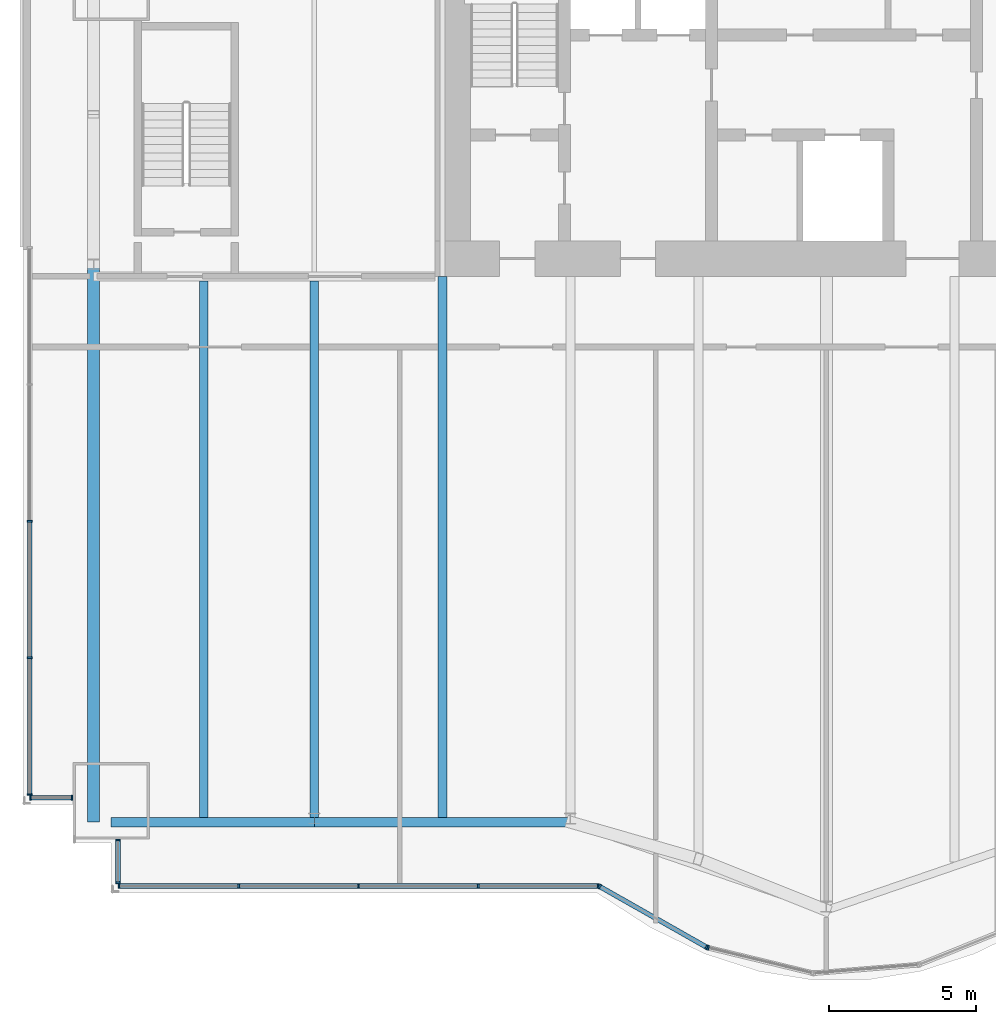
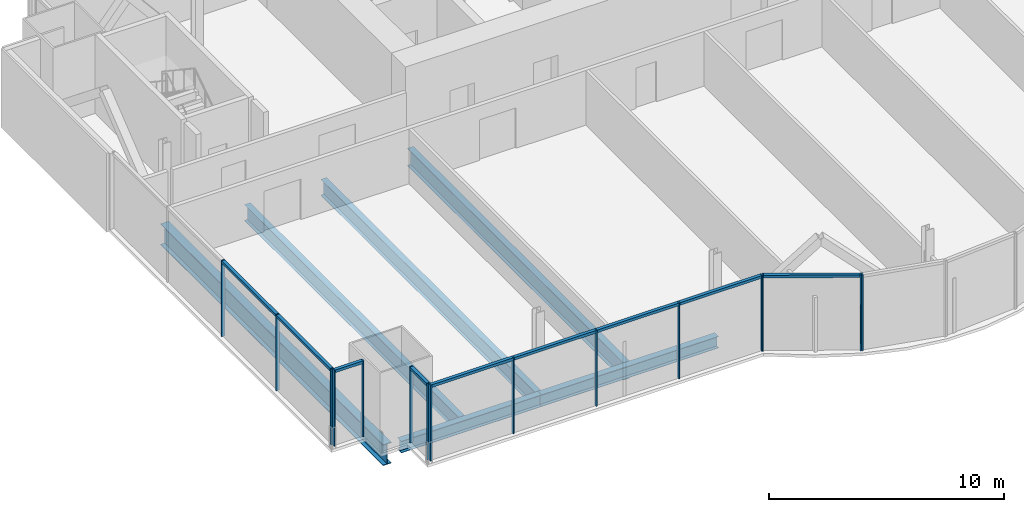
# One storey, part 5 of 20: 24 members, 6 beams, 5 elements without a shape of their own.
"""IFC4 building model written with IfcOpenShell, lengths in metres."""

from ifc_helpers import new_model, si_unit, direction, frame, origin, origin_2d, place, context, subcontext, project, spatial, rectangle, i_section, extrude, material, material_profile, profile_set, type_object, element, aggregate, save


model = new_model("IFC4")

# Units and contexts
model_context = context("Model", 3, precision=1e-05, world=origin(), true_north=direction((0.0, 1.0)))
body_context = subcontext(model_context, "Body", "Model", "MODEL_VIEW")
ifc_project = project(units=[si_unit("LENGTHUNIT", "METRE"), si_unit("AREAUNIT", "SQUARE_METRE"), si_unit("VOLUMEUNIT", "CUBIC_METRE"), si_unit("PLANEANGLEUNIT", "RADIAN"), si_unit("MASSUNIT", "GRAM", prefix="KILO")], contexts=[model_context])

# Site, building, storey
site_placement = place(None, origin())
site = spatial("IfcSite", under=ifc_project, at=site_placement, CompositionType="ELEMENT")
building_placement = place(site_placement, origin())
building = spatial("IfcBuilding", under=site, at=building_placement, Name="Bicima Exchange Tower", CompositionType="ELEMENT")
storey_placement = place(building_placement, frame((0.0, 0.0, 177.300048828125)))
storey = spatial("IfcBuildingStorey", under=building, at=storey_placement, Name="L39", CompositionType="ELEMENT", Elevation=177.300048828125)

# Curtain wall, members
ifc_material_1 = material(Name="Anodised bronze aluminium", Category="aluminium")
curtain_wall_type_1 = type_object("IfcCurtainWallType", Name="End face glass wall", PredefinedType="NOTDEFINED", material=ifc_material_1)
curtain_wall_1_placement = place(storey_placement, origin())
curtain_wall_1 = element("IfcCurtainWall", 1, at=curtain_wall_1_placement, inside=storey, type_object=curtain_wall_type_1, Name="End face glass wall L39 run 2", PredefinedType="NOTDEFINED")
ifc_material_profile_1 = material_profile(ifc_material_1, rectangle(XDim=0.159912109375, YDim=0.06005859375, at=origin_2d()))
ifc_profile_set_1 = profile_set([ifc_material_profile_1], Name="Anodised bronze aluminium")
member_type_1 = type_object("IfcMemberType", Name="End face glass wall mullion 60 x 160", PredefinedType="MULLION", material=ifc_profile_set_1)
member_1_placement = place(storey_placement, frame((-35.77001953125, -21.319091796875, 0.0), z_axis=(0.0, 0.0, 1.0), x_axis=(1.0, 0.0, 0.0)))
member_1 = element("IfcMember", 2, at=member_1_placement, type_object=member_type_1, Name="End face glass wall mullion 3", PredefinedType="MULLION", context=body_context, shape_type="SweptSolid", body=[
    extrude(rectangle(XDim=0.159912109375, YDim=0.06005859375, at=origin_2d()), origin(), (0.0, 0.0, 1.0), 3.949951171875),
])
member_2_placement = place(storey_placement, frame((-35.77001953125, -25.96337890625, 0.0), z_axis=(0.0, 0.0, 1.0), x_axis=(1.0, 0.0, 0.0)))
member_2 = element("IfcMember", 3, at=member_2_placement, type_object=member_type_1, Name="End face glass wall mullion 4", PredefinedType="MULLION", context=body_context, shape_type="SweptSolid", body=[
    extrude(rectangle(XDim=0.159912109375, YDim=0.06005859375, at=origin_2d()), origin(), (0.0, 0.0, 1.0), 3.949951171875),
])
member_3_placement = place(storey_placement, frame((-35.77001953125, -30.60791015625, 0.0), z_axis=(0.0, 0.0, 1.0), x_axis=(1.0, 0.0, 0.0)))
member_3 = element("IfcMember", 4, at=member_3_placement, type_object=member_type_1, Name="End face glass wall mullion 5", PredefinedType="MULLION", context=body_context, shape_type="SweptSolid", body=[
    extrude(rectangle(XDim=0.159912109375, YDim=0.06005859375, at=origin_2d()), origin(), (0.0, 0.0, 1.0), 3.949951171875),
])
ifc_material_profile_2 = material_profile(ifc_material_1, rectangle(XDim=0.159912109375, YDim=0.139892578125, at=origin_2d()))
ifc_profile_set_2 = profile_set([ifc_material_profile_2], Name="Anodised bronze aluminium")
member_type_2 = type_object("IfcMemberType", Name="End face glass wall transom 140 x 160", PredefinedType="USERDEFINED", material=ifc_profile_set_2)
member_4_placement = place(storey_placement, frame((-35.77001953125, -21.34912109375, 3.8798828125), z_axis=(0.0, -1.0, 0.0), x_axis=(1.0, 0.0, 0.0)))
member_4 = element("IfcMember", 5, at=member_4_placement, type_object=member_type_2, Name="End face glass wall transom 3.1", ObjectType="TRANSOM", PredefinedType="USERDEFINED", context=body_context, shape_type="SweptSolid", body=[
    extrude(rectangle(XDim=0.159912109375, YDim=0.139892578125, at=origin_2d()), origin(), (0.0, 0.0, 1.0), 4.58447265625),
])
member_5_placement = place(storey_placement, frame((-35.77001953125, -25.993408203125, 3.8798828125), z_axis=(0.0, -1.0, 0.0), x_axis=(1.0, 0.0, 0.0)))
member_5 = element("IfcMember", 6, at=member_5_placement, type_object=member_type_2, Name="End face glass wall transom 4.1", ObjectType="TRANSOM", PredefinedType="USERDEFINED", context=body_context, shape_type="SweptSolid", body=[
    extrude(rectangle(XDim=0.159912109375, YDim=0.139892578125, at=origin_2d()), origin(), (0.0, 0.0, 1.0), 4.58447265625),
])
aggregate(curtain_wall_1, [member_1, member_2, member_3, member_4, member_5])

# Beams
ifc_material_2 = material(Name="Steel ASTM A992 Gr 50", Category="steel")
ifc_material_profile_3 = material_profile(ifc_material_2, i_section(OverallWidth=0.4013671875, OverallDepth=1.089599609375, WebThickness=0.01806640625, FlangeThickness=0.031005859375, at=origin_2d()))
ifc_profile_set_3 = profile_set([ifc_material_profile_3], Name="Steel ASTM A992 Gr 50")
beam_type_1 = type_object("IfcBeamType", Name="End girder W44x230", PredefinedType="BEAM", material=ifc_profile_set_3)
beam_1_placement = place(storey_placement, frame((-33.60009765625, -12.60009765625, -0.69482421875), z_axis=(0.0, -1.0, 0.0), x_axis=(1.0, 0.0, 0.0)))
element("IfcBeam", 7, at=beam_1_placement, inside=storey, type_object=beam_type_1, Name="End girder", PredefinedType="BEAM", context=body_context, shape_type="SweptSolid", body=[
    extrude(i_section(OverallWidth=0.4013671875, OverallDepth=1.089599609375, WebThickness=0.01806640625, FlangeThickness=0.031005859375, at=origin_2d()), origin(), (0.0, 0.0, 1.0), 18.947998046875),
])
ifc_material_profile_4 = material_profile(ifc_material_2, i_section(OverallWidth=0.2919921875, OverallDepth=0.835693359375, WebThickness=0.013916015625, FlangeThickness=0.018798828125, at=origin_2d()))
ifc_profile_set_4 = profile_set([ifc_material_profile_4], Name="Steel ASTM A992 Gr 50")
beam_type_2 = type_object("IfcBeamType", Name="Floor beam W33x118", PredefinedType="JOIST", material=ifc_profile_set_4)
for number, where, z_axis, x_axis, name in (
    (8, (-29.85009765625, -13.15234375, -0.56787109375), (0.0, -1.0, 0.0), (1.0, 0.0, 0.0), "Floor beam"),
    (9, (-26.10009765625, -13.15234375, -0.56787109375), (0.0, -1.0, 0.0), (1.0, 0.0, 0.0), "Floor beam"),
):
    element("IfcBeam", number, at=place(storey_placement, frame(where, z_axis=z_axis, x_axis=x_axis)), inside=storey, type_object=beam_type_2, Name=name, PredefinedType="JOIST", context=body_context, shape_type="SweptSolid", body=[
        extrude(i_section(OverallWidth=0.2919921875, OverallDepth=0.835693359375, WebThickness=0.013916015625, FlangeThickness=0.018798828125, at=origin_2d()), origin(), (0.0, 0.0, 1.0), 18.233154296875),
    ])
ifc_material_profile_5 = material_profile(ifc_material_2, i_section(OverallWidth=0.3046875, OverallDepth=0.904296875, WebThickness=0.01513671875, FlangeThickness=0.02001953125, at=origin_2d()))
ifc_profile_set_5 = profile_set([ifc_material_profile_5], Name="Steel ASTM A992 Gr 50")
beam_type_3 = type_object("IfcBeamType", Name="Floor beam W36x135", PredefinedType="JOIST", material=ifc_profile_set_5)
beam_2_placement = place(storey_placement, frame((-21.75, -13.0, -0.60205078125), z_axis=(0.0, -1.0, 0.0), x_axis=(1.0, 0.0, 0.0)))
element("IfcBeam", 10, at=beam_2_placement, inside=storey, type_object=beam_type_3, Name="Floor beam", PredefinedType="JOIST", context=body_context, shape_type="SweptSolid", body=[
    extrude(i_section(OverallWidth=0.3046875, OverallDepth=0.904296875, WebThickness=0.01513671875, FlangeThickness=0.02001953125, at=origin_2d()), origin(), (0.0, 0.0, 1.0), 18.385498046875),
])
ifc_material_profile_6 = material_profile(ifc_material_2, i_section(OverallWidth=0.3251953125, OverallDepth=0.612060546875, WebThickness=0.0126953125, FlangeThickness=0.01904296875, at=origin_2d()))
ifc_profile_set_6 = profile_set([ifc_material_profile_6], Name="Steel ASTM A992 Gr 50")
beam_type_4 = type_object("IfcBeamType", Name="Front girder W24x104", PredefinedType="BEAM", material=ifc_profile_set_6)
beam_3_placement = place(storey_placement, frame((-33.0, -31.548095703125, -0.4560546875), z_axis=(1.0, 0.0, 0.0), x_axis=(0.0, 1.0, 0.0)))
element("IfcBeam", 11, at=beam_3_placement, inside=storey, type_object=beam_type_4, Name="Front girder", PredefinedType="BEAM", context=body_context, shape_type="SweptSolid", body=[
    extrude(i_section(OverallWidth=0.3251953125, OverallDepth=0.612060546875, WebThickness=0.0126953125, FlangeThickness=0.01904296875, at=origin_2d()), origin(), (0.0, 0.0, 1.0), 6.89990234375),
])
beam_4_placement = place(storey_placement, frame((-26.10009765625, -31.548095703125, -0.4560546875), z_axis=(1.0, 0.0, 0.0), x_axis=(0.0, 1.0, 0.0)))
element("IfcBeam", 12, at=beam_4_placement, inside=storey, type_object=beam_type_4, Name="Front girder", PredefinedType="BEAM", context=body_context, shape_type="SweptSolid", body=[
    extrude(i_section(OverallWidth=0.3251953125, OverallDepth=0.612060546875, WebThickness=0.0126953125, FlangeThickness=0.01904296875, at=origin_2d()), origin(), (0.0, 0.0, 1.0), 8.7001953125),
])

# Curtain wall, members
curtain_wall_type_2 = type_object("IfcCurtainWallType", Name="Front glass wall", PredefinedType="NOTDEFINED", material=ifc_material_1)
curtain_wall_2_placement = place(storey_placement, origin())
curtain_wall_2 = element("IfcCurtainWall", 13, at=curtain_wall_2_placement, inside=storey, type_object=curtain_wall_type_2, Name="Front glass wall L39 run 3", PredefinedType="NOTDEFINED")
member_type_3 = type_object("IfcMemberType", Name="Front glass wall mullion 60 x 160", PredefinedType="MULLION", material=ifc_profile_set_1)
member_6_placement = place(storey_placement, frame((-35.739990234375, -30.718017578125, 0.0), z_axis=(0.0, 0.0, 1.0), x_axis=(0.0, 1.0, 0.0)))
member_6 = element("IfcMember", 14, at=member_6_placement, type_object=member_type_3, Name="Front glass wall mullion 1", PredefinedType="MULLION", context=body_context, shape_type="SweptSolid", body=[
    extrude(rectangle(XDim=0.159912109375, YDim=0.06005859375, at=origin_2d()), origin(), (0.0, 0.0, 1.0), 3.949951171875),
])
member_7_placement = place(storey_placement, frame((-34.330078125, -30.718017578125, 0.0), z_axis=(0.0, 0.0, 1.0), x_axis=(0.0, 1.0, 0.0)))
member_7 = element("IfcMember", 15, at=member_7_placement, type_object=member_type_3, Name="Front glass wall mullion 2", PredefinedType="MULLION", context=body_context, shape_type="SweptSolid", body=[
    extrude(rectangle(XDim=0.159912109375, YDim=0.06005859375, at=origin_2d()), origin(), (0.0, 0.0, 1.0), 3.949951171875),
])

curtain_wall_3_placement = place(storey_placement, origin())
curtain_wall_3 = element("IfcCurtainWall", 16, at=curtain_wall_3_placement, inside=storey, type_object=curtain_wall_type_2, Name="Front glass wall L39 run 4", PredefinedType="NOTDEFINED")
member_8_placement = place(storey_placement, frame((-32.77001953125, -32.156005859375, 0.0), z_axis=(0.0, 0.0, 1.0), x_axis=(1.0, 0.0, 0.0)))
member_8 = element("IfcMember", 17, at=member_8_placement, type_object=member_type_3, Name="Front glass wall mullion 1", PredefinedType="MULLION", context=body_context, shape_type="SweptSolid", body=[
    extrude(rectangle(XDim=0.159912109375, YDim=0.06005859375, at=origin_2d()), origin(), (0.0, 0.0, 1.0), 3.949951171875),
])
member_9_placement = place(storey_placement, frame((-32.77001953125, -33.60791015625, 0.0), z_axis=(0.0, 0.0, 1.0), x_axis=(1.0, 0.0, 0.0)))
member_9 = element("IfcMember", 18, at=member_9_placement, type_object=member_type_3, Name="Front glass wall mullion 2", PredefinedType="MULLION", context=body_context, shape_type="SweptSolid", body=[
    extrude(rectangle(XDim=0.159912109375, YDim=0.06005859375, at=origin_2d()), origin(), (0.0, 0.0, 1.0), 3.949951171875),
])

curtain_wall_4_placement = place(storey_placement, origin())
curtain_wall_4 = element("IfcCurtainWall", 19, at=curtain_wall_4_placement, inside=storey, type_object=curtain_wall_type_2, Name="Front glass wall L39 run 5", PredefinedType="NOTDEFINED")
member_10_placement = place(storey_placement, frame((-32.739990234375, -33.718017578125, 0.0), z_axis=(0.0, 0.0, 1.0), x_axis=(0.0, 1.0, 0.0)))
member_10 = element("IfcMember", 20, at=member_10_placement, type_object=member_type_3, Name="Front glass wall mullion 1", PredefinedType="MULLION", context=body_context, shape_type="SweptSolid", body=[
    extrude(rectangle(XDim=0.159912109375, YDim=0.06005859375, at=origin_2d()), origin(), (0.0, 0.0, 1.0), 3.949951171875),
])
member_11_placement = place(storey_placement, frame((-28.67041015625, -33.718017578125, 0.0), z_axis=(0.0, 0.0, 1.0), x_axis=(0.0, 1.0, 0.0)))
member_11 = element("IfcMember", 21, at=member_11_placement, type_object=member_type_3, Name="Front glass wall mullion 2", PredefinedType="MULLION", context=body_context, shape_type="SweptSolid", body=[
    extrude(rectangle(XDim=0.159912109375, YDim=0.06005859375, at=origin_2d()), origin(), (0.0, 0.0, 1.0), 3.949951171875),
])
member_12_placement = place(storey_placement, frame((-24.60107421875, -33.718017578125, 0.0), z_axis=(0.0, 0.0, 1.0), x_axis=(0.0, 1.0, 0.0)))
member_12 = element("IfcMember", 22, at=member_12_placement, type_object=member_type_3, Name="Front glass wall mullion 3", PredefinedType="MULLION", context=body_context, shape_type="SweptSolid", body=[
    extrude(rectangle(XDim=0.159912109375, YDim=0.06005859375, at=origin_2d()), origin(), (0.0, 0.0, 1.0), 3.949951171875),
])
member_13_placement = place(storey_placement, frame((-20.531494140625, -33.718017578125, 0.0), z_axis=(0.0, 0.0, 1.0), x_axis=(0.0, 1.0, 0.0)))
member_13 = element("IfcMember", 23, at=member_13_placement, type_object=member_type_3, Name="Front glass wall mullion 4", PredefinedType="MULLION", context=body_context, shape_type="SweptSolid", body=[
    extrude(rectangle(XDim=0.159912109375, YDim=0.06005859375, at=origin_2d()), origin(), (0.0, 0.0, 1.0), 3.949951171875),
])
member_14_placement = place(storey_placement, frame((-16.462158203125, -33.718017578125, 0.0), z_axis=(0.0, 0.0, 1.0), x_axis=(0.0, 1.0, 0.0)))
member_14 = element("IfcMember", 24, at=member_14_placement, type_object=member_type_3, Name="Front glass wall mullion 5", PredefinedType="MULLION", context=body_context, shape_type="SweptSolid", body=[
    extrude(rectangle(XDim=0.159912109375, YDim=0.06005859375, at=origin_2d()), origin(), (0.0, 0.0, 1.0), 3.949951171875),
])

curtain_wall_5_placement = place(storey_placement, origin())
curtain_wall_5 = element("IfcCurtainWall", 25, at=curtain_wall_5_placement, inside=storey, type_object=curtain_wall_type_2, Name="Front glass wall L39 run 6", PredefinedType="NOTDEFINED")
member_15_placement = place(storey_placement, frame((-16.406005859375, -33.73291015625, 0.0), z_axis=(0.0, 0.0, 1.0), x_axis=(0.493395449343, 0.869805110681, 0.0)))
member_15 = element("IfcMember", 26, at=member_15_placement, type_object=member_type_3, Name="Front glass wall mullion 1", PredefinedType="MULLION", context=body_context, shape_type="SweptSolid", body=[
    extrude(rectangle(XDim=0.159912109375, YDim=0.06005859375, at=origin_2d()), origin(), (0.0, 0.0, 1.0), 3.949951171875),
])
member_16_placement = place(storey_placement, frame((-12.7734375, -35.79345703125, 0.0), z_axis=(0.0, 0.0, 1.0), x_axis=(0.493395449343, 0.869805110681, 0.0)))
member_16 = element("IfcMember", 27, at=member_16_placement, type_object=member_type_3, Name="Front glass wall mullion 2", PredefinedType="MULLION", context=body_context, shape_type="SweptSolid", body=[
    extrude(rectangle(XDim=0.159912109375, YDim=0.06005859375, at=origin_2d()), origin(), (0.0, 0.0, 1.0), 3.949951171875),
])
member_17_placement = place(storey_placement, frame((-12.718017578125, -35.815185546875, 0.0), z_axis=(0.0, 0.0, 1.0), x_axis=(0.235681529503, 0.971830343553, 0.0)))
member_17 = element("IfcMember", 28, at=member_17_placement, type_object=member_type_3, Name="Front glass wall mullion 1", PredefinedType="MULLION", context=body_context, shape_type="SweptSolid", body=[
    extrude(rectangle(XDim=0.159912109375, YDim=0.06005859375, at=origin_2d()), origin(), (0.0, 0.0, 1.0), 3.949951171875),
])

# Member
member_type_4 = type_object("IfcMemberType", Name="Front glass wall transom 140 x 160", PredefinedType="USERDEFINED", material=ifc_profile_set_2)
member_18_placement = place(storey_placement, frame((-35.7099609375, -30.718017578125, 3.8798828125), z_axis=(1.0, 0.0, 0.0), x_axis=(0.0, 1.0, 0.0)))
member_18 = element("IfcMember", 29, at=member_18_placement, type_object=member_type_4, Name="Front glass wall transom 1.1", ObjectType="TRANSOM", PredefinedType="USERDEFINED", context=body_context, shape_type="SweptSolid", body=[
    extrude(rectangle(XDim=0.159912109375, YDim=0.139892578125, at=origin_2d()), origin(), (0.0, 0.0, 1.0), 1.349853515625),
])

aggregate(curtain_wall_2, [member_6, member_7, member_18])

member_19_placement = place(storey_placement, frame((-32.77001953125, -32.18603515625, 3.8798828125), z_axis=(0.0, -1.0, 0.0), x_axis=(1.0, 0.0, 0.0)))
member_19 = element("IfcMember", 30, at=member_19_placement, type_object=member_type_4, Name="Front glass wall transom 1.1", ObjectType="TRANSOM", PredefinedType="USERDEFINED", context=body_context, shape_type="SweptSolid", body=[
    extrude(rectangle(XDim=0.159912109375, YDim=0.139892578125, at=origin_2d()), origin(), (0.0, 0.0, 1.0), 1.391845703125),
])

aggregate(curtain_wall_3, [member_8, member_9, member_19])

member_20_placement = place(storey_placement, frame((-32.7099609375, -33.718017578125, 3.8798828125), z_axis=(1.0, 0.0, 0.0), x_axis=(0.0, 1.0, 0.0)))
member_20 = element("IfcMember", 31, at=member_20_placement, type_object=member_type_4, Name="Front glass wall transom 1.1", ObjectType="TRANSOM", PredefinedType="USERDEFINED", context=body_context, shape_type="SweptSolid", body=[
    extrude(rectangle(XDim=0.159912109375, YDim=0.139892578125, at=origin_2d()), origin(), (0.0, 0.0, 1.0), 4.009521484375),
])

member_21_placement = place(storey_placement, frame((-28.640380859375, -33.718017578125, 3.8798828125), z_axis=(1.0, 0.0, 0.0), x_axis=(0.0, 1.0, 0.0)))
member_21 = element("IfcMember", 32, at=member_21_placement, type_object=member_type_4, Name="Front glass wall transom 2.1", ObjectType="TRANSOM", PredefinedType="USERDEFINED", context=body_context, shape_type="SweptSolid", body=[
    extrude(rectangle(XDim=0.159912109375, YDim=0.139892578125, at=origin_2d()), origin(), (0.0, 0.0, 1.0), 4.00927734375),
])

member_22_placement = place(storey_placement, frame((-24.571044921875, -33.718017578125, 3.8798828125), z_axis=(1.0, 0.0, 0.0), x_axis=(0.0, 1.0, 0.0)))
member_22 = element("IfcMember", 33, at=member_22_placement, type_object=member_type_4, Name="Front glass wall transom 3.1", ObjectType="TRANSOM", PredefinedType="USERDEFINED", context=body_context, shape_type="SweptSolid", body=[
    extrude(rectangle(XDim=0.159912109375, YDim=0.139892578125, at=origin_2d()), origin(), (0.0, 0.0, 1.0), 4.009521484375),
])

member_23_placement = place(storey_placement, frame((-20.501708984375, -33.718017578125, 3.8798828125), z_axis=(1.0, 0.0, 0.0), x_axis=(0.0, 1.0, 0.0)))
member_23 = element("IfcMember", 34, at=member_23_placement, type_object=member_type_4, Name="Front glass wall transom 4.1", ObjectType="TRANSOM", PredefinedType="USERDEFINED", context=body_context, shape_type="SweptSolid", body=[
    extrude(rectangle(XDim=0.159912109375, YDim=0.139892578125, at=origin_2d()), origin(), (0.0, 0.0, 1.0), 4.009521484375),
])

aggregate(curtain_wall_4, [member_10, member_11, member_12, member_13, member_14, member_20, member_21, member_22, member_23])

member_24_placement = place(storey_placement, frame((-16.3798828125, -33.74755859375, 3.8798828125), z_axis=(0.869797371721, -0.49340909208, 0.0), x_axis=(0.49340909208, 0.869797371721, 0.0)))
member_24 = element("IfcMember", 35, at=member_24_placement, type_object=member_type_4, Name="Front glass wall transom 1.1", ObjectType="TRANSOM", PredefinedType="USERDEFINED", context=body_context, shape_type="SweptSolid", body=[
    extrude(rectangle(XDim=0.159912109375, YDim=0.139892578125, at=origin_2d()), origin(), (0.0, 0.0, 1.0), 4.1162109375),
])

aggregate(curtain_wall_5, [member_15, member_16, member_24, member_17])

save(model, "model.ifc")
